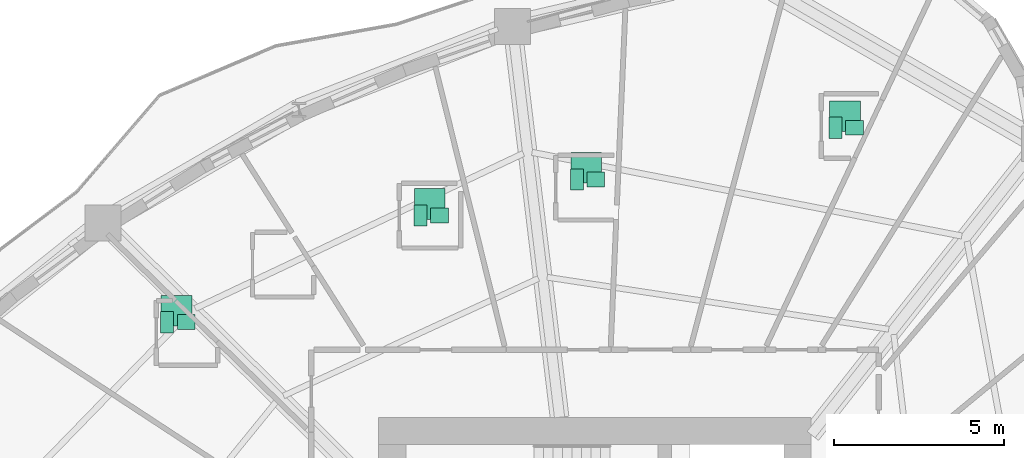
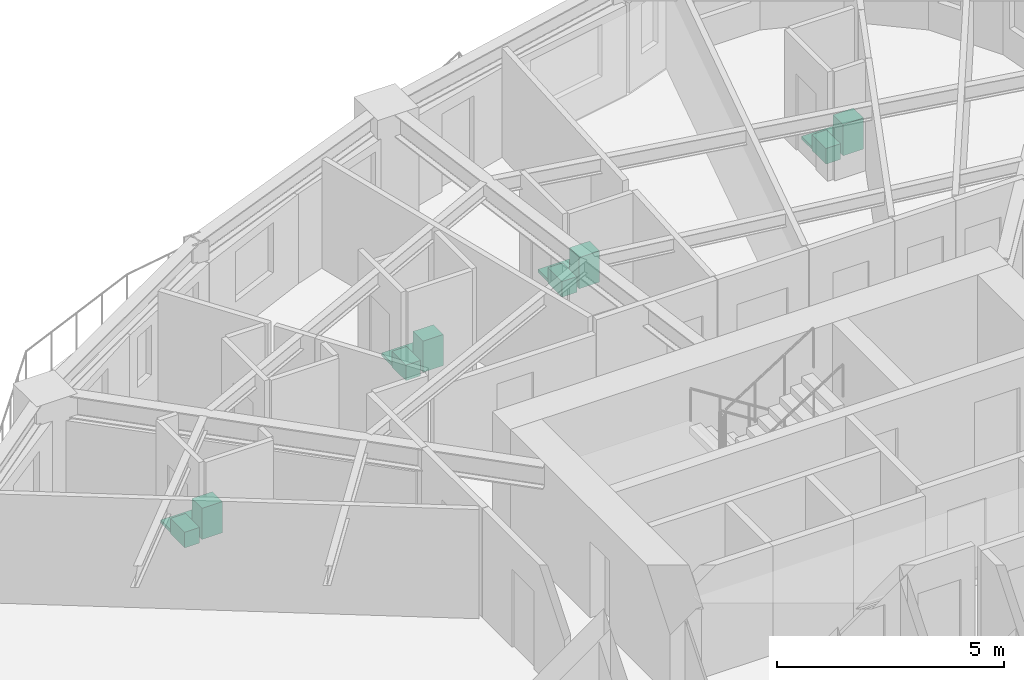
# One storey, part 14 of 14: 12 sanitary terminals.
"""IFC4 building model written with IfcOpenShell, lengths in metres."""

from ifc_helpers import new_model, si_unit, direction, frame, origin, origin_2d, place, context, subcontext, project, spatial, rectangle, extrude, source, transform, mapped, material, type_object, element, save


model = new_model("IFC4")

# Units and contexts
model_context = context("Model", 3, precision=1e-05, world=origin(), true_north=direction((0.0, 1.0)))
body_context = subcontext(model_context, "Body", "Model", "MODEL_VIEW")
ifc_project = project(units=[si_unit("LENGTHUNIT", "METRE"), si_unit("AREAUNIT", "SQUARE_METRE"), si_unit("VOLUMEUNIT", "CUBIC_METRE"), si_unit("PLANEANGLEUNIT", "RADIAN"), si_unit("MASSUNIT", "GRAM", prefix="KILO")], contexts=[model_context])

# Site, building, storey
site_placement = place(None, origin())
site = spatial("IfcSite", under=ifc_project, at=site_placement, CompositionType="ELEMENT")
building_placement = place(site_placement, origin())
building = spatial("IfcBuilding", under=site, at=building_placement, Name="Qafzar Sky-Pleat Residences", CompositionType="ELEMENT")
storey_placement = place(building_placement, frame((0.0, 0.0, 7.800048828125)))
storey = spatial("IfcBuildingStorey", under=building, at=storey_placement, Name="L01", CompositionType="ELEMENT", Elevation=7.800048828125)

# Sanitary terminals
ifc_material_1 = material(Name="Vitreous china sanitaryware")
sanitary_terminal_type_1 = type_object("IfcSanitaryTerminalType", Name="SAN-WC-PAN", PredefinedType="TOILETPAN", material=ifc_material_1)
shared_shape_1 = source(origin(), body_context, "Body", "SweptSolid", [
    extrude(rectangle(XDim=0.3798828125, YDim=0.6201171875, at=origin_2d()), origin(), (0.0, 0.0, 1.0), 0.419921875),
])
for number, where, z_axis, x_axis, name in (
    (1, (37.415283203125, 43.100830078125, 0.0), (0.0, 0.0, 1.0), (1.0, 0.0, 0.0), "L01 En-suite Bathroom 7 WC Pan"),
    (2, (29.819091796875, 41.581787109375, 0.0), (0.0, 0.0, 1.0), (1.0, 0.0, 0.0), "L01 En-suite Bathroom 8 WC Pan"),
    (3, (25.22607421875, 40.52001953125, 0.0), (0.0, 0.0, 1.0), (1.0, 0.0, 0.0), "L01 En-suite Bathroom 9 WC Pan"),
    (4, (17.787109375, 37.391357421875, 0.0), (0.0, 0.0, 1.0), (1.0, 0.0, 0.0), "L01 En-suite Bathroom 10 WC Pan"),
):
    element("IfcSanitaryTerminal", number, at=place(storey_placement, frame(where, z_axis=z_axis, x_axis=x_axis)), inside=storey, type_object=sanitary_terminal_type_1, Name=name, PredefinedType="TOILETPAN", context=body_context, shape_type="MappedRepresentation", body=[
        mapped(shared_shape_1, transform((0.0, 0.0, 0.0), x_axis=(1.0, 0.0, 0.0), y_axis=(0.0, 1.0, 0.0), z_axis=(0.0, 0.0, 1.0), scale=1.0)),
    ])
sanitary_terminal_type_2 = type_object("IfcSanitaryTerminalType", Name="SAN-BASIN", PredefinedType="WASHHANDBASIN", material=ifc_material_1)
shared_shape_2 = source(origin(), body_context, "Body", "SweptSolid", [
    extrude(rectangle(XDim=0.52001953125, YDim=0.43994140625, at=origin_2d()), origin(), (0.0, 0.0, 1.0), 0.840087890625),
])
for number, where, z_axis, x_axis, name in (
    (5, (37.975341796875, 43.100830078125, 0.0), (0.0, 0.0, 1.0), (1.0, 0.0, 0.0), "L01 En-suite Bathroom 7 Pedestal Washbasin"),
    (6, (30.37890625, 41.581787109375, 0.0), (0.0, 0.0, 1.0), (1.0, 0.0, 0.0), "L01 En-suite Bathroom 8 Pedestal Washbasin"),
    (7, (25.785888671875, 40.52001953125, 0.0), (0.0, 0.0, 1.0), (1.0, 0.0, 0.0), "L01 En-suite Bathroom 9 Pedestal Washbasin"),
    (8, (18.346923828125, 37.391357421875, 0.0), (0.0, 0.0, 1.0), (1.0, 0.0, 0.0), "L01 En-suite Bathroom 10 Pedestal Washbasin"),
):
    element("IfcSanitaryTerminal", number, at=place(storey_placement, frame(where, z_axis=z_axis, x_axis=x_axis)), inside=storey, type_object=sanitary_terminal_type_2, Name=name, PredefinedType="WASHHANDBASIN", context=body_context, shape_type="MappedRepresentation", body=[
        mapped(shared_shape_2, transform((0.0, 0.0, 0.0), x_axis=(1.0, 0.0, 0.0), y_axis=(0.0, 1.0, 0.0), z_axis=(0.0, 0.0, 1.0), scale=1.0)),
    ])
ifc_material_2 = material(Name="Vitreous china and acrylic tray")
sanitary_terminal_type_3 = type_object("IfcSanitaryTerminalType", Name="SAN-SHOWER", PredefinedType="SHOWER", material=ifc_material_2)
shared_shape_3 = source(origin(), body_context, "Body", "SweptSolid", [
    extrude(rectangle(XDim=0.89990234375, YDim=0.89990234375, at=origin_2d()), origin(), (0.0, 0.0, 1.0), 0.080078125),
])
for number, where, z_axis, x_axis, name in (
    (9, (37.6953125, 43.44091796875, 0.0), (0.0, 0.0, 1.0), (1.0, 0.0, 0.0), "L01 En-suite Bathroom 7 Walk-In Shower"),
    (10, (30.09912109375, 41.921630859375, 0.0), (0.0, 0.0, 1.0), (1.0, 0.0, 0.0), "L01 En-suite Bathroom 8 Walk-In Shower"),
    (11, (25.506103515625, 40.860107421875, 0.0), (0.0, 0.0, 1.0), (1.0, 0.0, 0.0), "L01 En-suite Bathroom 9 Walk-In Shower"),
    (12, (18.06689453125, 37.7314453125, 0.0), (0.0, 0.0, 1.0), (1.0, 0.0, 0.0), "L01 En-suite Bathroom 10 Walk-In Shower"),
):
    element("IfcSanitaryTerminal", number, at=place(storey_placement, frame(where, z_axis=z_axis, x_axis=x_axis)), inside=storey, type_object=sanitary_terminal_type_3, Name=name, PredefinedType="SHOWER", context=body_context, shape_type="MappedRepresentation", body=[
        mapped(shared_shape_3, transform((0.0, 0.0, 0.0), x_axis=(1.0, 0.0, 0.0), y_axis=(0.0, 1.0, 0.0), z_axis=(0.0, 0.0, 1.0), scale=1.0)),
    ])

save(model, "model.ifc")
